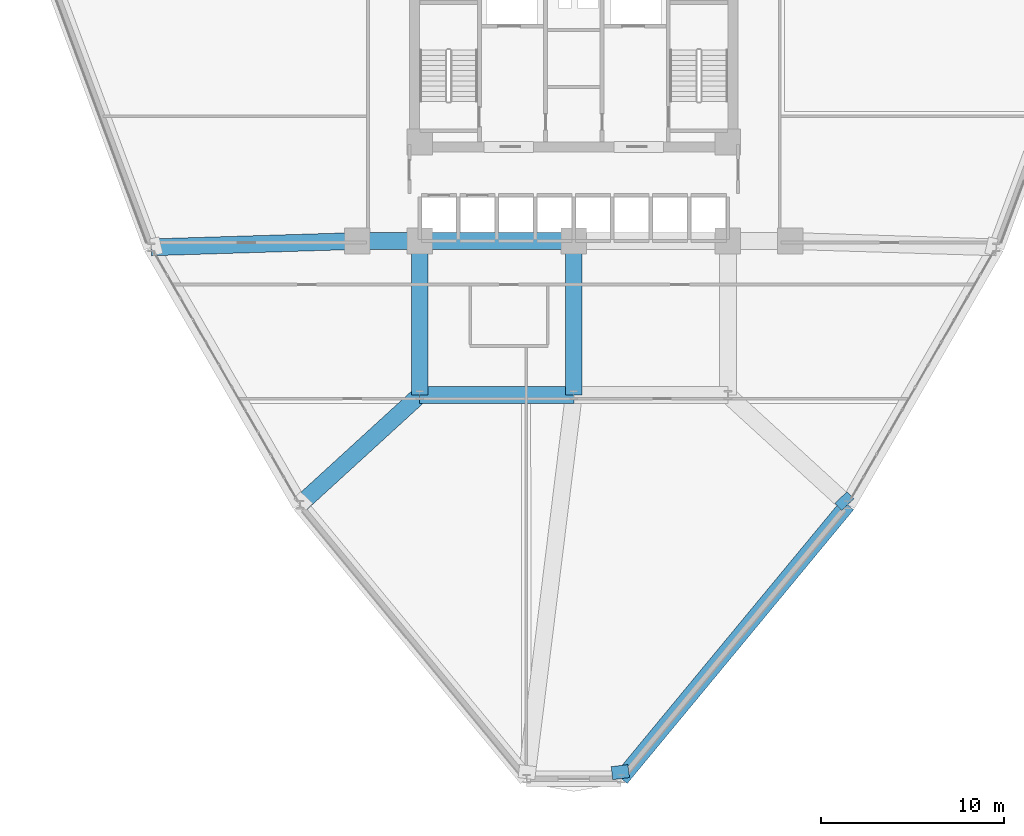
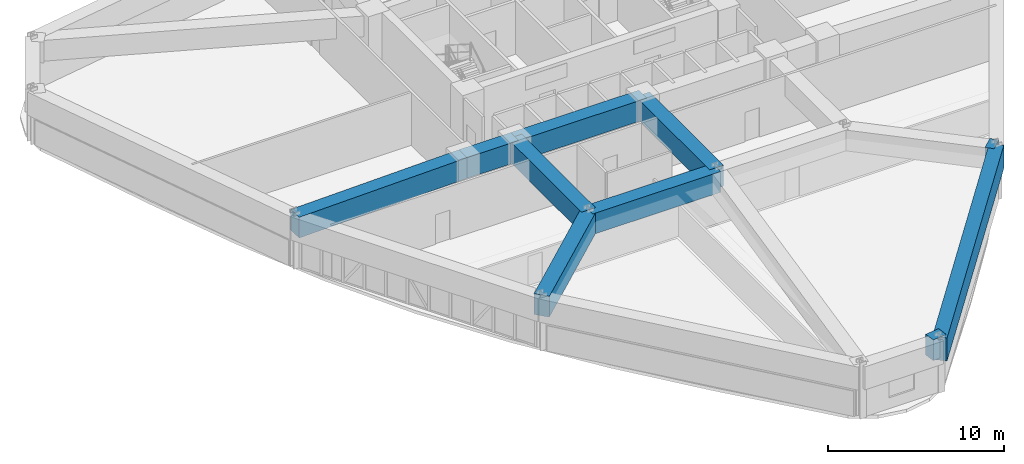
# One storey, part 5 of 20: 10 beams.
"""IFC4 building model written with IfcOpenShell, lengths in metres."""

from ifc_helpers import new_model, si_unit, derived_unit, direction, frame, origin, origin_2d, place, context, subcontext, project, spatial, rectangle, extrude, source, transform, mapped, material, material_profile, profile_set, type_object, element, save


model = new_model("IFC4")

# Units and contexts
model_context = context("Model", 3, precision=1e-05, world=origin(), true_north=direction((0.0, 1.0)))
body_context = subcontext(model_context, "Body", "Model", "MODEL_VIEW")
ifc_project = project(units=[si_unit("LENGTHUNIT", "METRE"), si_unit("AREAUNIT", "SQUARE_METRE"), si_unit("VOLUMEUNIT", "CUBIC_METRE"), si_unit("PLANEANGLEUNIT", "RADIAN"), si_unit("MASSUNIT", "GRAM", prefix="KILO"), derived_unit("THERMALTRANSMITTANCEUNIT", [(si_unit("POWERUNIT", "WATT"), 1), (si_unit("LENGTHUNIT", "METRE"), -2), (si_unit("THERMODYNAMICTEMPERATUREUNIT", "KELVIN"), -1)])], contexts=[model_context])

# Site, building, storey
site_placement = place(None, origin())
site = spatial("IfcSite", under=ifc_project, at=site_placement, CompositionType="ELEMENT")
building_placement = place(site_placement, origin())
building = spatial("IfcBuilding", under=site, at=building_placement, Name="Korsvarv Bourse and Concert Hall", CompositionType="ELEMENT")
storey_placement = place(building_placement, frame((0.0, 0.0, 31.800048828125)))
storey = spatial("IfcBuildingStorey", under=building, at=storey_placement, Name="L07", CompositionType="ELEMENT", Elevation=31.800048828125)

# Beams
ifc_material_1 = material(Name="Concrete C50/60", Category="concrete")
ifc_material_profile_1 = material_profile(ifc_material_1, rectangle(XDim=0.919921875, YDim=1.43994140625, at=origin_2d()), Name="RC-BM 920x1440")
ifc_profile_set_1 = profile_set([ifc_material_profile_1], Name="Concrete C50/60")
beam_type_1 = type_object("IfcBeamType", Name="BM-TR-144", PredefinedType="BEAM", material=ifc_profile_set_1)
shared_shape_1 = source(origin(), body_context, "Body", "SweptSolid", [
    extrude(rectangle(XDim=0.919921875, YDim=1.43994140625, at=origin_2d()), origin(), (0.0, 0.0, 1.0), 3.400146484375),
])
beam_1_placement = place(storey_placement, frame((24.199951171875, 32.39990234375, 2.9599609375), z_axis=(1.0, 0.0, 0.0), x_axis=(0.0, 1.0, 0.0)))
element("IfcBeam", 1, at=beam_1_placement, inside=storey, type_object=beam_type_1, Name="L07 beam B-TR4", PredefinedType="BEAM", context=body_context, shape_type="MappedRepresentation", body=[
    mapped(shared_shape_1, transform((0.0, 0.0, 0.0), scale=1.0)),
])
shared_shape_2 = source(origin(), body_context, "Body", "SweptSolid", [
    extrude(rectangle(XDim=0.919921875, YDim=1.43994140625, at=origin_2d()), origin(), (0.0, 0.0, 1.0), 8.39990234375),
])
for number, where, z_axis, x_axis, name in (
    (2, (27.60009765625, 32.39990234375, 2.9599609375), (1.0, 0.0, 0.0), (0.0, 1.0, 0.0), "L07 beam B-TR4"),
    (3, (27.60009765625, 24.0, 2.9599609375), (1.0, 0.0, 0.0), (0.0, 1.0, 0.0), "L07 beam B-TR4"),
    (4, (27.60009765625, 24.0, 2.9599609375), (0.0, 1.0, 0.0), (-1.0, 0.0, 0.0), "L07 beam B-TR4"),
    (5, (36.0, 24.0, 2.9599609375), (0.0, 1.0, 0.0), (-1.0, 0.0, 0.0), "L07 beam B-TR4"),
):
    element("IfcBeam", number, at=place(storey_placement, frame(where, z_axis=z_axis, x_axis=x_axis)), inside=storey, type_object=beam_type_1, Name=name, PredefinedType="BEAM", context=body_context, shape_type="MappedRepresentation", body=[
        mapped(shared_shape_2, transform((0.0, 0.0, 0.0), scale=1.0)),
    ])
ifc_material_2 = material(Name="Concrete C55/67", Category="concrete")
ifc_material_profile_2 = material_profile(ifc_material_2, rectangle(XDim=0.85009765625, YDim=1.60009765625, at=origin_2d()), Name="RC-BM 850x1600")
ifc_profile_set_2 = profile_set([ifc_material_profile_2], Name="Concrete C55/67")
beam_type_2 = type_object("IfcBeamType", Name="BM-TR1B", PredefinedType="BEAM", material=ifc_profile_set_2)
shared_shape_3 = source(origin(), body_context, "Body", "SweptSolid", [
    extrude(rectangle(XDim=0.85009765625, YDim=1.60009765625, at=origin_2d()), origin(), (0.0, 0.0, 1.0), 19.380126953125),
])
beam_2_placement = place(storey_placement, frame((38.581787109375, 3.09375, 2.8798828125), z_axis=(0.637270402598, 0.770640275338, 0.0), x_axis=(-0.770640275338, 0.637270402598, 0.0)))
element("IfcBeam", 6, at=beam_2_placement, inside=storey, type_object=beam_type_2, Name="L07 beam B-TR2", PredefinedType="BEAM", context=body_context, shape_type="MappedRepresentation", body=[
    mapped(shared_shape_3, transform((0.0, 0.0, 0.0), scale=1.0)),
])
shared_shape_4 = source(origin(), body_context, "Body", "SweptSolid", [
    extrude(rectangle(XDim=0.919921875, YDim=1.43994140625, at=origin_2d()), origin(), (0.0, 0.0, 1.0), 11.23486328125),
])
beam_3_placement = place(storey_placement, frame((12.970458984375, 32.05419921875, 2.9599609375), z_axis=(0.999526469652, 0.03077070791, 0.0), x_axis=(-0.03077070791, 0.999526469652, 0.0)))
element("IfcBeam", 7, at=beam_3_placement, inside=storey, type_object=beam_type_1, Name="L07 beam B-TR4", PredefinedType="BEAM", context=body_context, shape_type="MappedRepresentation", body=[
    mapped(shared_shape_4, transform((0.0, 0.0, 0.0), scale=1.0)),
])
shared_shape_5 = source(origin(), body_context, "Body", "SweptSolid", [
    extrude(rectangle(XDim=0.919921875, YDim=1.43994140625, at=origin_2d()), origin(), (0.0, 0.0, 1.0), 8.85009765625),
])
beam_4_placement = place(storey_placement, frame((21.06787109375, 18.02880859375, 2.9599609375), z_axis=(0.738092395249, 0.674699648789, 0.0), x_axis=(-0.674699648789, 0.738092395249, 0.0)))
element("IfcBeam", 8, at=beam_4_placement, inside=storey, type_object=beam_type_1, Name="L07 beam B-TR4", PredefinedType="BEAM", context=body_context, shape_type="MappedRepresentation", body=[
    mapped(shared_shape_5, transform((0.0, 0.0, 0.0), scale=1.0)),
])
shared_shape_6 = source(origin(), body_context, "Body", "SweptSolid", [
    extrude(rectangle(XDim=0.919921875, YDim=1.43994140625, at=origin_2d()), origin(), (0.0, 0.0, 1.0), 0.71484375),
])
beam_5_placement = place(storey_placement, frame((38.581787109375, 3.09375, 2.9599609375), z_axis=(-0.124328998955, 0.992241049352, 0.0), x_axis=(-0.992241049352, -0.124328998955, 0.0)))
element("IfcBeam", 9, at=beam_5_placement, inside=storey, type_object=beam_type_1, Name="L07 beam B-TR4", PredefinedType="BEAM", context=body_context, shape_type="MappedRepresentation", body=[
    mapped(shared_shape_6, transform((0.0, 0.0, 0.0), scale=1.0)),
])
shared_shape_7 = source(origin(), body_context, "Body", "SweptSolid", [
    extrude(rectangle(XDim=0.919921875, YDim=1.43994140625, at=origin_2d()), origin(), (0.0, 0.0, 1.0), 0.538818359375),
])
beam_6_placement = place(storey_placement, frame((50.93212890625, 18.02880859375, 2.9599609375), z_axis=(-0.683624601749, 0.729833819362, 0.0), x_axis=(-0.729833819362, -0.683624601749, 0.0)))
element("IfcBeam", 10, at=beam_6_placement, inside=storey, type_object=beam_type_1, Name="L07 beam B-TR4", PredefinedType="BEAM", context=body_context, shape_type="MappedRepresentation", body=[
    mapped(shared_shape_7, transform((0.0, 0.0, 0.0), scale=1.0)),
])

save(model, "model.ifc")
